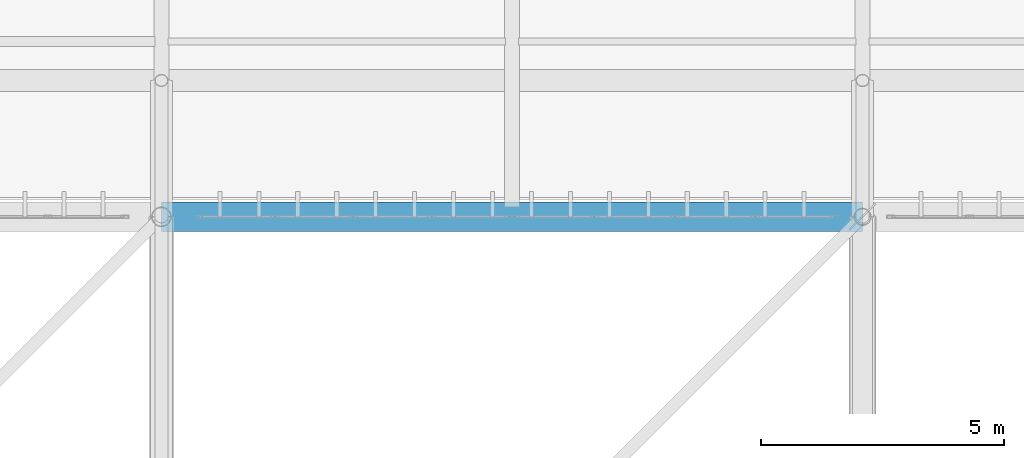
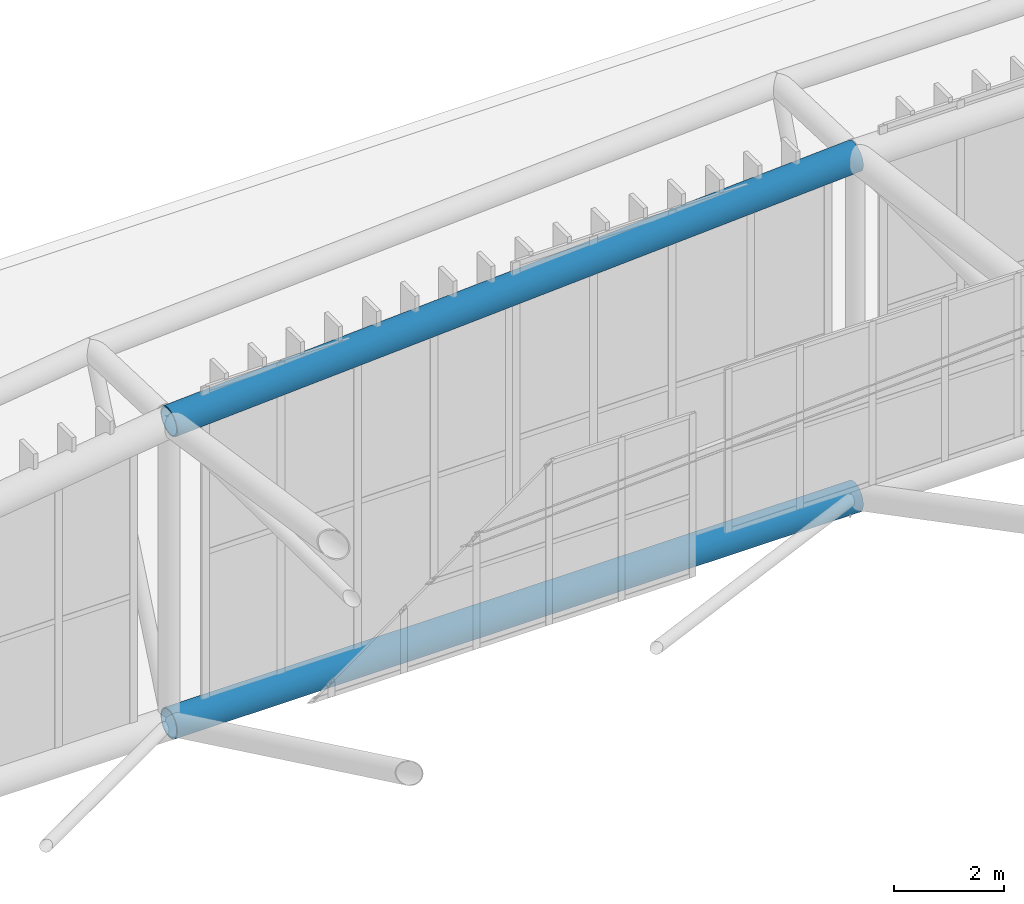
# One storey, part 261 of 397: 2 beams.
"""IFC4 building model written with IfcOpenShell, lengths in metres."""

import ifcopenshell
import ifcopenshell.guid

model = None  # the IFC model being written
_history = None  # IfcOwnerHistory: only IFC2X3 demands one
_inside = {}  # id of a spatial element -> (the spatial element, [elements in it])
_under = {}  # id of a project, library or spatial element -> (it, [spatial elements below it])
_declared = {}  # id of a project -> (the project, [libraries it declares])
_typed = {}  # id of a type object -> (the type object, [elements of that type])
_made_of = {}  # id of a material, layer set ... -> (it, [elements and type objects made of it])


def new_model(schema):
    """Start an empty IFC model of exactly this schema.

    Asked for "IFC4X3", IfcOpenShell would pick the latest addendum, in which some entities
    have other attributes; the version numbers below select the first issue.
    IFC2X3 requires an IfcOwnerHistory on every rooted entity: one is made here for all.
    """
    global model, _history
    if schema == "IFC4X3":
        model = ifcopenshell.file(schema_version=(4, 3, 0, 0))
    else:
        model = ifcopenshell.file(schema=schema)
    _inside.clear()
    _under.clear()
    _declared.clear()
    _typed.clear()
    _made_of.clear()
    _history = None
    if model.schema == "IFC2X3":
        org = make("IfcOrganization", Name="unknown")
        user = make(
            "IfcPersonAndOrganization",
            ThePerson=make("IfcPerson", FamilyName="unknown"),
            TheOrganization=org,
        )
        app = make(
            "IfcApplication",
            ApplicationDeveloper=org,
            Version="unknown",
            ApplicationFullName="unknown",
            ApplicationIdentifier="unknown",
        )
        _history = make(
            "IfcOwnerHistory",
            OwningUser=user,
            OwningApplication=app,
            ChangeAction="ADDED",
            CreationDate=0,
        )
    return model


def make(cls, **values):
    """One entity of the class cls with the attributes given. An attribute that is None is left unset."""
    return model.create_entity(
        cls, **{name: value for name, value in values.items() if value is not None}
    )


def rooted(cls, **values):
    """An entity with a GlobalId (a new one), such as an element, a storey or a relation."""
    return make(cls, GlobalId=ifcopenshell.guid.new(), OwnerHistory=_history, **values)


def si_unit(unit_type, name, prefix=None):
    """IfcSIUnit, for example si_unit("LENGTHUNIT", "METRE", prefix="MILLI")."""
    return make("IfcSIUnit", UnitType=unit_type, Prefix=prefix, Name=name)


def assignment(units):
    """IfcUnitAssignment: the units of a project."""
    return None if units is None else make("IfcUnitAssignment", Units=units)


def point(xyz):
    """IfcCartesianPoint."""
    return None if xyz is None else make("IfcCartesianPoint", Coordinates=xyz)


def direction(xyz):
    """IfcDirection."""
    return None if xyz is None else make("IfcDirection", DirectionRatios=xyz)


def frame(location, z_axis=None, x_axis=None):
    """IfcAxis2Placement3D, a coordinate frame: its origin and axes. An axis left out is left unset."""
    return make(
        "IfcAxis2Placement3D",
        Location=point(location),
        Axis=direction(z_axis),
        RefDirection=direction(x_axis),
    )


def frame_2d(location, x_axis=None):
    """IfcAxis2Placement2D, a coordinate frame in the plane: its origin and x axis."""
    return make(
        "IfcAxis2Placement2D", Location=point(location), RefDirection=direction(x_axis)
    )


def origin():
    """The frame at (0, 0, 0) with its axes left unset."""
    return frame((0.0, 0.0, 0.0))


def origin_2d():
    """The frame at (0, 0) in the plane with its x axis left unset."""
    return frame_2d((0.0, 0.0))


def place(relative_to, where):
    """IfcLocalPlacement: puts the frame where relative to a parent placement (None: the world)."""
    return make(
        "IfcLocalPlacement", PlacementRelTo=relative_to, RelativePlacement=where
    )


def context(
    kind, dimensions, precision=None, world=None, true_north=None, identifier=None
):
    """IfcGeometricRepresentationContext, for example the 3D "Model" context."""
    return make(
        "IfcGeometricRepresentationContext",
        ContextIdentifier=identifier,
        ContextType=kind,
        CoordinateSpaceDimension=dimensions,
        Precision=precision,
        WorldCoordinateSystem=world,
        TrueNorth=true_north,
    )


def subcontext(parent, identifier, kind, view, scale=None):
    """IfcGeometricRepresentationSubContext, for example "Body" below "Model"."""
    return make(
        "IfcGeometricRepresentationSubContext",
        ContextIdentifier=identifier,
        ContextType=kind,
        ParentContext=parent,
        TargetScale=scale,
        TargetView=view,
    )


def project(units=None, contexts=None):
    """IfcProject with its units and contexts."""
    return rooted(
        "IfcProject",
        Name="project",
        RepresentationContexts=contexts,
        UnitsInContext=assignment(units),
    )


def spatial(cls, under=None, at=None, **own):
    """A site, building, storey or space (cls), placed at a placement, below another one or the project."""
    s = rooted(cls, ObjectPlacement=at, **own)
    if under is not None:
        _under.setdefault(under.id(), (under, []))[1].append(s)
    return s


def profile(cls, at=None, kind="AREA", **sizes):
    """A parametric profile (cls). Its sizes go by their IFC names, for example OverallWidth=200.0."""
    return make(cls, ProfileType=kind, Position=at, **sizes)


def hollow_circle(**sizes):
    """IfcCircleHollowProfileDef."""
    return profile("IfcCircleHollowProfileDef", **sizes)


def extrude(swept, where, along, depth):
    """IfcExtrudedAreaSolid: the profile swept, set in the frame where, extruded along a direction by depth."""
    return make(
        "IfcExtrudedAreaSolid",
        SweptArea=swept,
        Position=where,
        ExtrudedDirection=direction(along),
        Depth=depth,
    )


def shape(context_of_items, identifier, shape_type, items):
    """IfcShapeRepresentation: the items that make up one representation, for example the "Body"."""
    return make(
        "IfcShapeRepresentation",
        ContextOfItems=context_of_items,
        RepresentationIdentifier=identifier,
        RepresentationType=shape_type,
        Items=items,
    )


def material(Name=None, Category=None):
    """IfcMaterial."""
    return make("IfcMaterial", Name=Name, Category=Category)


def material_profile(
    of_material, cross_section, Name=None, Category=None, Priority=None
):
    """IfcMaterialProfile: a cross section and its material."""
    return make(
        "IfcMaterialProfile",
        Name=Name,
        Material=of_material,
        Profile=cross_section,
        Priority=Priority,
        Category=Category,
    )


def profile_set(profiles, Name=None, composite=None):
    """IfcMaterialProfileSet."""
    return make(
        "IfcMaterialProfileSet",
        Name=Name,
        MaterialProfiles=profiles,
        CompositeProfile=composite,
    )


def made_of(thing, what):
    """Note that an element or type object is made of a material, layer set ...; save() writes the relation."""
    if what is not None:
        _made_of.setdefault(what.id(), (what, []))[1].append(thing)
    return thing


def type_object(cls, material=None, **own):
    """A type object (cls), such as IfcWallType, which elements share."""
    return made_of(rooted(cls, **own), material)


def element(
    cls,
    number,
    at=None,
    inside=None,
    cuts=None,
    type_object=None,
    material=None,
    context=None,
    identifier="Body",
    shape_type=None,
    held_by="IfcProductDefinitionShape",
    body=None,
    shapes=None,
    **own,
):
    """One element of the class cls, such as IfcWall. Its Tag is "e" and its number.

    at: its placement. inside: the storey or other place that contains it. cuts: it is an
    opening in that element (IfcRelVoidsElement). A single representation is given by context,
    identifier, shape_type and body (its items); several are given by shapes. held_by: the class
    of the entity that holds the representations. save() writes the other relations.
    """
    e = rooted(cls, Tag="e%d" % number, ObjectPlacement=at, **own)
    if body is not None:
        shapes = [shape(context, identifier, shape_type, body)]
    if shapes is not None:
        e.Representation = make(held_by, Representations=shapes)
    if inside is not None:
        _inside.setdefault(inside.id(), (inside, []))[1].append(e)
    if cuts is not None:
        rooted(
            "IfcRelVoidsElement", RelatingBuildingElement=cuts, RelatedOpeningElement=e
        )
    if type_object is not None:
        _typed.setdefault(type_object.id(), (type_object, []))[1].append(e)
    return made_of(e, material)


def aggregate(whole, parts):
    """IfcRelAggregates: a whole, such as a stair, and the parts it consists of."""
    return rooted("IfcRelAggregates", RelatingObject=whole, RelatedObjects=parts)


def save(model, path):
    """Write the relations noted so far, then the file.

    IfcRelAggregates (storeys below a building ...), IfcRelContainedInSpatialStructure (elements
    in a storey), IfcRelDefinesByType, IfcRelAssociatesMaterial and IfcRelDeclares: one each for
    every whole, place, type object, material and project.
    """
    for whole, parts in _under.values():
        aggregate(whole, parts)
    for where, things in _inside.values():
        rooted(
            "IfcRelContainedInSpatialStructure",
            RelatedElements=things,
            RelatingStructure=where,
        )
    for kind, things in _typed.values():
        rooted("IfcRelDefinesByType", RelatedObjects=things, RelatingType=kind)
    for what, things in _made_of.values():
        rooted("IfcRelAssociatesMaterial", RelatedObjects=things, RelatingMaterial=what)
    for by, libraries in _declared.values():
        rooted("IfcRelDeclares", RelatingContext=by, RelatedDefinitions=libraries)
    model.write(path)


model = new_model("IFC4")

# Units and contexts
model_context = context("Model", 3, precision=1e-05, world=origin(), true_north=direction((0.0, 1.0)))
body_context = subcontext(model_context, "Body", "Model", "MODEL_VIEW")
ifc_project = project(units=[si_unit("LENGTHUNIT", "METRE"), si_unit("AREAUNIT", "SQUARE_METRE"), si_unit("VOLUMEUNIT", "CUBIC_METRE"), si_unit("PLANEANGLEUNIT", "RADIAN"), si_unit("MASSUNIT", "GRAM", prefix="KILO")], contexts=[model_context])

# Site, building, storey
site_placement = place(None, origin())
site = spatial("IfcSite", under=ifc_project, at=site_placement, CompositionType="ELEMENT")
building_placement = place(site_placement, origin())
building = spatial("IfcBuilding", under=site, at=building_placement, Name="Qandorah Velis Arena", CompositionType="ELEMENT")
storey_placement = place(building_placement, frame((0.0, 0.0, 27.5)))
storey = spatial("IfcBuildingStorey", under=building, at=storey_placement, Name="RF", CompositionType="ELEMENT", Elevation=27.5)

# Beams
ifc_material = material(Name="Steel S460", Category="steel")
ifc_material_profile_1 = material_profile(ifc_material, hollow_circle(Radius=0.304931640625, WallThickness=0.02490234375, at=origin_2d()), Name="CHS 610x25")
ifc_profile_set_1 = profile_set([ifc_material_profile_1], Name="Steel S460")
beam_type_1 = type_object("IfcBeamType", Name="STR-SFC-CHS610X25", PredefinedType="USERDEFINED", material=ifc_profile_set_1)
beam_1_placement = place(storey_placement, frame((43.199951171875, 115.199951171875, 0.10009765625), z_axis=(1.0, 0.0, 0.0), x_axis=(0.0, 1.0, 0.0)))
element("IfcBeam", 1, at=beam_1_placement, inside=storey, type_object=beam_type_1, Name="Space frame roof truss bottom chord X 2.7", ObjectType="ROOF TRUSS", PredefinedType="USERDEFINED", context=body_context, shape_type="SweptSolid", body=[
    extrude(hollow_circle(Radius=0.304931640625, WallThickness=0.02490234375, at=origin_2d()), origin(), (0.0, 0.0, 1.0), 14.400146484375),
])
ifc_material_profile_2 = material_profile(ifc_material, hollow_circle(Radius=0.304931640625, WallThickness=0.031982421875, at=origin_2d()), Name="CHS 610x32")
ifc_profile_set_2 = profile_set([ifc_material_profile_2], Name="Steel S460")
beam_type_2 = type_object("IfcBeamType", Name="STR-SFC-CHS610X32", PredefinedType="USERDEFINED", material=ifc_profile_set_2)
beam_2_placement = place(storey_placement, frame((43.199951171875, 115.199951171875, 6.79931640625), z_axis=(0.998236054486, 0.0, 0.059369853672), x_axis=(0.0, 1.0, 0.0)))
element("IfcBeam", 2, at=beam_2_placement, inside=storey, type_object=beam_type_2, Name="Space frame roof truss top chord X 2.7", ObjectType="ROOF TRUSS", PredefinedType="USERDEFINED", context=body_context, shape_type="SweptSolid", body=[
    extrude(hollow_circle(Radius=0.304931640625, WallThickness=0.031982421875, at=origin_2d()), origin(), (0.0, 0.0, 1.0), 14.425537109375),
])

save(model, "model.ifc")
